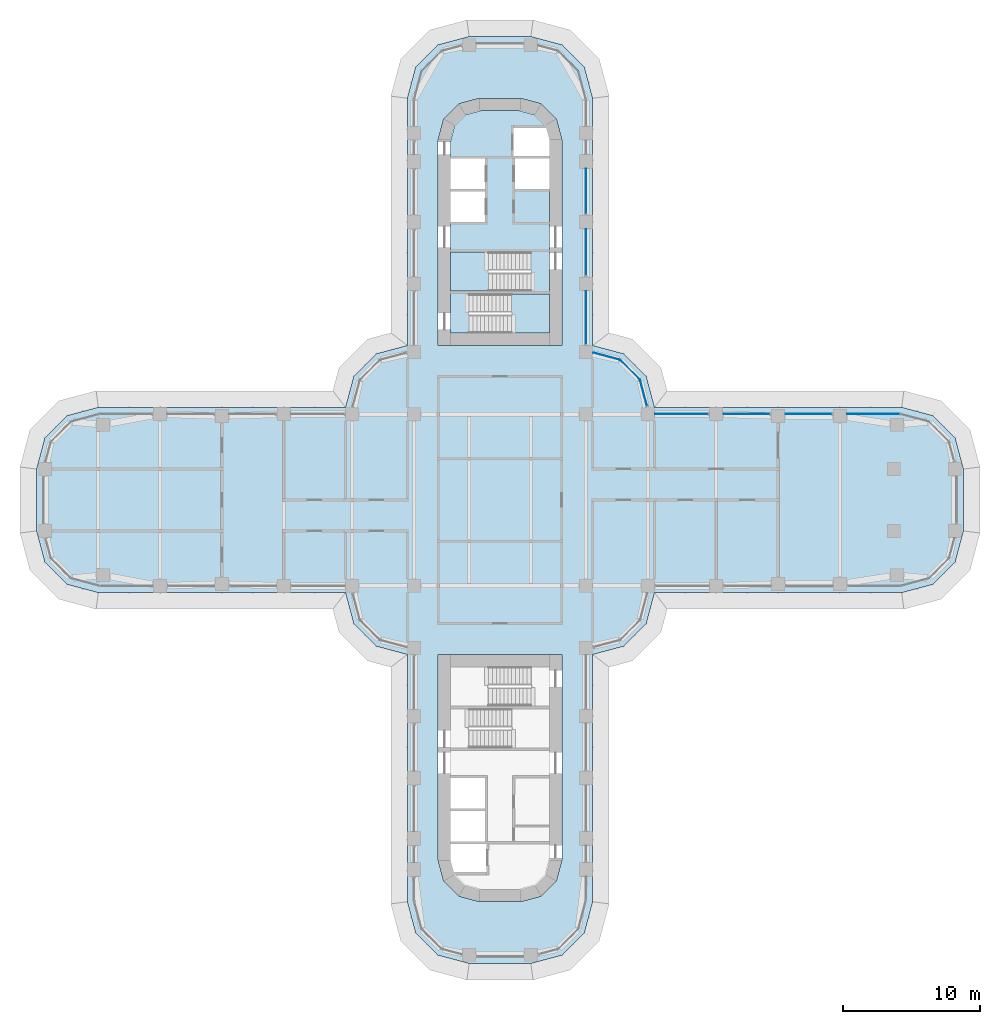
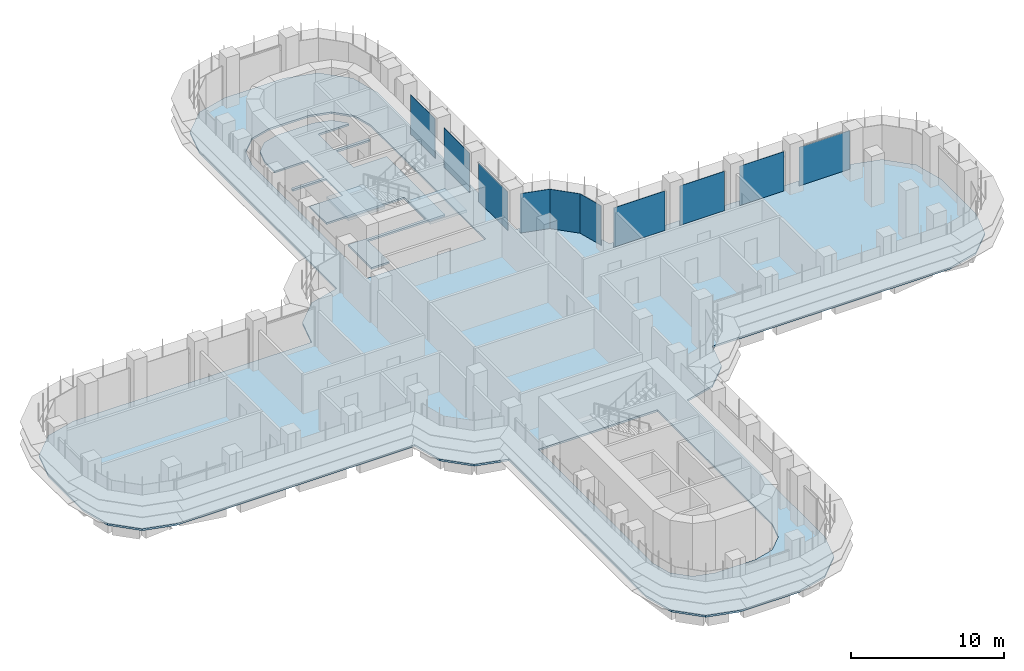
# One storey, part 15 of 23: 10 plates, 4 slabs, 7 elements without a shape of their own.
"""IFC4 building model written with IfcOpenShell, lengths in metres."""

from ifc_helpers import new_model, si_unit, direction, frame, origin, place, context, subcontext, project, spatial, polyline, outline, extrude, source, transform, mapped, material, layer, layer_set, type_object, element, aggregate, save


model = new_model("IFC4")

# Units and contexts
model_context = context("Model", 3, precision=1e-05, world=origin(), true_north=direction((0.0, 1.0)))
body_context = subcontext(model_context, "Body", "Model", "MODEL_VIEW")
ifc_project = project(units=[si_unit("LENGTHUNIT", "METRE"), si_unit("AREAUNIT", "SQUARE_METRE"), si_unit("VOLUMEUNIT", "CUBIC_METRE"), si_unit("PLANEANGLEUNIT", "RADIAN"), si_unit("MASSUNIT", "GRAM", prefix="KILO")], contexts=[model_context])

# Site, building, storey
site_placement = place(None, origin())
site = spatial("IfcSite", under=ifc_project, at=site_placement, CompositionType="ELEMENT")
building_placement = place(site_placement, origin())
building = spatial("IfcBuilding", under=site, at=building_placement, Name="Zarbagh Exchange Tower", CompositionType="ELEMENT")
storey_placement = place(building_placement, frame((0.0, 0.0, 39.60009765625)))
storey = spatial("IfcBuildingStorey", under=building, at=storey_placement, Name="L08", CompositionType="ELEMENT", Elevation=39.60009765625)

# Slabs
ifc_material_1 = material(Name="Concrete C40/50", Category="concrete")
ifc_layer_1 = layer(ifc_material_1, 0.14990234375)
ifc_layer_set_1 = layer_set([ifc_layer_1], Name="Composite floor slab 150 C40/50")
slab_type_1 = type_object("IfcSlabType", Name="Composite floor slab 150 C40/50", PredefinedType="FLOOR", material=ifc_layer_set_1)
slab_1_placement = place(storey_placement, frame((0.0, 0.0, -0.150146484375)))
element("IfcSlab", 1, at=slab_1_placement, inside=storey, type_object=slab_type_1, Name="S5 composite floor slab", PredefinedType="FLOOR", context=body_context, shape_type="SweptSolid", body=[
    extrude(outline(polyline([(-2.25, -33.75), (-4.5, -33.147216796875), (-6.147216796875, -31.5), (-6.75, -29.25), (-6.75, -11.25), (-9.0, -10.647216796875), (-10.647216796875, -9.0), (-11.25, -6.75), (-29.25, -6.75), (-31.5, -6.147216796875), (-33.147216796875, -4.5), (-33.75, -2.25), (-33.75, 2.25), (-33.147216796875, 4.5), (-31.5, 6.147216796875), (-29.25, 6.75), (-11.25, 6.75), (-10.647216796875, 9.0), (-9.0, 10.647216796875), (-6.75, 11.25), (-6.75, 29.25), (-6.147216796875, 31.5), (-4.5, 33.147216796875), (-2.25, 33.75), (2.25, 33.75), (4.5, 33.147216796875), (6.147216796875, 31.5), (6.75, 29.25), (6.75, 11.25), (9.0, 10.647216796875), (10.647216796875, 9.0), (11.25, 6.75), (29.25, 6.75), (31.5, 6.147216796875), (33.147216796875, 4.5), (33.75, 2.25), (33.75, -2.25), (33.147216796875, -4.5), (31.5, -6.147216796875), (29.25, -6.75), (11.25, -6.75), (10.647216796875, -9.0), (9.0, -10.647216796875), (6.75, -11.25), (6.75, -29.25), (6.147216796875, -31.5), (4.5, -33.147216796875), (2.25, -33.75), (-2.25, -33.75)]), holes=[polyline([(4.5, 11.25), (4.5, 26.25), (4.09814453125, 27.75), (3.0, 28.84814453125), (1.5, 29.25), (-1.5, 29.25), (-3.0, 28.84814453125), (-4.09814453125, 27.75), (-4.5, 26.25), (-4.5, 11.25), (4.5, 11.25)]), polyline([(-1.5, -29.25), (1.5, -29.25), (3.0, -28.84814453125), (4.09814453125, -27.75), (4.5, -26.25), (4.5, -11.25), (-4.5, -11.25), (-4.5, -26.25), (-4.09814453125, -27.75), (-3.0, -28.84814453125), (-1.5, -29.25)])]), origin(), (0.0, 0.0, 1.0), 0.150146484375),
])
ifc_layer_2 = layer(ifc_material_1, 0.14990234375)
ifc_layer_set_2 = layer_set([ifc_layer_2], Name="Core floor slab 150 C40/50")
slab_type_2 = type_object("IfcSlabType", Name="Core floor slab 150 C40/50", PredefinedType="FLOOR", material=ifc_layer_set_2)
slab_2_placement = place(storey_placement, frame((0.0, 0.0, -0.150146484375)))
element("IfcSlab", 2, at=slab_2_placement, inside=storey, type_object=slab_type_2, Name="S17 core N", PredefinedType="FLOOR", context=body_context, shape_type="SweptSolid", body=[
    extrude(outline(polyline([(-3.60009765625, 12.14990234375), (-3.60009765625, 15.199951171875), (2.25, 15.199951171875), (2.25, 18.050048828125), (-3.60009765625, 18.050048828125), (-3.60009765625, 20.25), (-1.10009765625, 20.25), (-1.10009765625, 22.449951171875), (-3.60009765625, 22.449951171875), (-3.60009765625, 22.64990234375), (-1.10009765625, 22.64990234375), (-1.10009765625, 24.85009765625), (-3.60009765625, 24.85009765625), (-3.60009765625, 26.131591796875), (-3.291259765625, 27.2841796875), (-2.5341796875, 28.041259765625), (-1.381591796875, 28.35009765625), (1.381591796875, 28.35009765625), (2.5341796875, 28.041259765625), (3.291259765625, 27.2841796875), (3.340576171875, 27.10009765625), (1.0, 27.10009765625), (1.0, 25.050048828125), (3.60009765625, 25.050048828125), (3.60009765625, 24.85009765625), (1.10009765625, 24.85009765625), (1.10009765625, 22.64990234375), (3.60009765625, 22.64990234375), (3.60009765625, 15.0), (-2.25, 15.0), (-2.25, 12.14990234375), (-3.60009765625, 12.14990234375)])), origin(), (0.0, 0.0, 1.0), 0.150146484375),
])

# Stair, slab
stair_type = type_object("IfcStairType", Name="Exit stair two-flight half-turn", PredefinedType="HALF_TURN_STAIR", material=ifc_material_1)
stair_1_placement = place(storey_placement, origin())
stair_1 = element("IfcStair", 3, at=stair_1_placement, inside=storey, type_object=stair_type, Name="exit stair ST1", PredefinedType="HALF_TURN_STAIR")
ifc_layer_3 = layer(ifc_material_1, 0.199951171875)
ifc_layer_set_3 = layer_set([ifc_layer_3], Name="Stair landing 200 mm")
slab_type_3 = type_object("IfcSlabType", Name="Stair landing 200 mm", PredefinedType="LANDING", material=ifc_layer_set_3)
slab_3_placement = place(storey_placement, frame((0.0, 0.0, 1.89990234375)))
slab_3 = element("IfcSlab", 4, at=slab_3_placement, type_object=slab_type_3, Name="ST1 landing 1", PredefinedType="LANDING", context=body_context, shape_type="SweptSolid", body=[
    extrude(outline(polyline([(-0.830078125, 18.050048828125), (-3.60009765625, 18.050048828125), (-3.60009765625, 15.199951171875), (-0.830078125, 15.199951171875), (-0.830078125, 18.050048828125)])), origin(), (0.0, 0.0, 1.0), 0.199951171875),
])
aggregate(stair_1, [slab_3])

stair_2_placement = place(storey_placement, origin())
stair_2 = element("IfcStair", 5, at=stair_2_placement, inside=storey, type_object=stair_type, Name="exit stair ST2", PredefinedType="HALF_TURN_STAIR")
slab_4_placement = place(storey_placement, frame((0.0, 0.0, 1.89990234375)))
slab_4 = element("IfcSlab", 6, at=slab_4_placement, type_object=slab_type_3, Name="ST2 landing 1", PredefinedType="LANDING", context=body_context, shape_type="SweptSolid", body=[
    extrude(outline(polyline([(0.830078125, 12.14990234375), (3.60009765625, 12.14990234375), (3.60009765625, 15.0), (0.830078125, 15.0), (0.830078125, 12.14990234375)])), origin(), (0.0, 0.0, 1.0), 0.199951171875),
])
aggregate(stair_2, [slab_4])

# Curtain wall, plate
ifc_material_2 = material(Name="Anodised aluminium frame and glazing", Category="aluminium")
curtain_wall_type = type_object("IfcCurtainWallType", Name="CWA Ribbon glazing, lower zones", PredefinedType="NOTDEFINED", material=ifc_material_2)
curtain_wall_1_placement = place(storey_placement, origin())
curtain_wall_1 = element("IfcCurtainWall", 7, at=curtain_wall_1_placement, inside=storey, type_object=curtain_wall_type, Name="CWA18 curtain wall", PredefinedType="NOTDEFINED")
ifc_material_3 = material(Name="Low-e double glazed unit, 6+12+6 mm")
ifc_layer_4 = layer(ifc_material_3, 0.028076171875)
ifc_layer_set_4 = layer_set([ifc_layer_4], Name="PAA Glazing panel, Low-e double glazed unit, 6+12+6 mm")
plate_type = type_object("IfcPlateType", Name="PAA Glazing panel, Low-e double glazed unit, 6+12+6 mm", PredefinedType="CURTAIN_PANEL", material=ifc_layer_set_4)
shared_shape_1 = source(origin(), body_context, "Body", "SweptSolid", [
    extrude(outline(polyline([(0.0, -0.013916015625), (2.061279296875, -0.013916015625), (2.061279296875, 0.013916015625), (0.0, 0.013916015625), (0.0, -0.013916015625)])), origin(), (0.0, 0.0, 1.0), 3.14990234375),
])
placement = place(storey_placement, origin())
plate_1 = element("IfcPlate", 8, at=placement, type_object=plate_type, Name="CWA18 glazing panel 1.1", PredefinedType="CURTAIN_PANEL", context=body_context, shape_type="MappedRepresentation", body=[
    mapped(shared_shape_1, transform((10.19873046875, 8.7412109375, 0.0), x_axis=(-0.707106781187, 0.707106781187, 0.0), y_axis=(-0.707106781187, -0.707106781187, 0.0), z_axis=(0.0, 0.0, 1.0))),
])
aggregate(curtain_wall_1, [plate_1])

curtain_wall_2_placement = place(storey_placement, origin())
curtain_wall_2 = element("IfcCurtainWall", 9, at=curtain_wall_2_placement, inside=storey, type_object=curtain_wall_type, Name="CWA20 curtain wall", PredefinedType="NOTDEFINED")
shared_shape_2 = source(origin(), body_context, "Body", "SweptSolid", [
    extrude(outline(polyline([(0.0, -0.013916015625), (3.260009765625, -0.013916015625), (3.260009765625, 0.013916015625), (0.0, 0.013916015625), (0.0, -0.013916015625)])), origin(), (0.0, 0.0, 1.0), 3.14990234375),
])
plate_2 = element("IfcPlate", 10, at=placement, type_object=plate_type, Name="CWA20 glazing panel 3.1", PredefinedType="CURTAIN_PANEL", context=body_context, shape_type="MappedRepresentation", body=[
    mapped(shared_shape_2, transform((6.25, 20.85009765625, 0.0), x_axis=(0.0, 1.0, 0.0), y_axis=(-1.0, 0.0, 0.0), z_axis=(0.0, 0.0, 1.0))),
])

# Curtain wall, plates
curtain_wall_3_placement = place(storey_placement, origin())
curtain_wall_3 = element("IfcCurtainWall", 11, at=curtain_wall_3_placement, inside=storey, type_object=curtain_wall_type, Name="CWA16 curtain wall", PredefinedType="NOTDEFINED")
shared_shape_3 = source(origin(), body_context, "Body", "SweptSolid", [
    extrude(outline(polyline([(0.0, -0.013916015625), (3.360107421875, -0.013916015625), (3.360107421875, 0.013916015625), (0.0, 0.013916015625), (0.0, -0.013916015625)])), origin(), (0.0, 0.0, 1.0), 3.14990234375),
])
plate_3 = element("IfcPlate", 12, at=placement, type_object=plate_type, Name="CWA16 glazing panel 2.1", PredefinedType="CURTAIN_PANEL", context=body_context, shape_type="MappedRepresentation", body=[
    mapped(shared_shape_3, transform((24.14990234375, 6.25, 0.0), x_axis=(-1.0, 0.0, 0.0), y_axis=(0.0, -1.0, 0.0), z_axis=(0.0, 0.0, 1.0))),
])
plate_4 = element("IfcPlate", 13, at=placement, type_object=plate_type, Name="CWA16 glazing panel 3.1", PredefinedType="CURTAIN_PANEL", context=body_context, shape_type="MappedRepresentation", body=[
    mapped(shared_shape_3, transform((19.64990234375, 6.25, 0.0), x_axis=(-1.0, 0.0, 0.0), y_axis=(0.0, -1.0, 0.0), z_axis=(0.0, 0.0, 1.0))),
])

# Plate
plate_5 = element("IfcPlate", 14, at=placement, type_object=plate_type, Name="CWA20 glazing panel 2.1", PredefinedType="CURTAIN_PANEL", context=body_context, shape_type="MappedRepresentation", body=[
    mapped(shared_shape_3, transform((6.25, 16.35009765625, 0.0), x_axis=(0.0, 1.0, 0.0), y_axis=(-1.0, 0.0, 0.0), z_axis=(0.0, 0.0, 1.0))),
])

# Curtain wall, plate
curtain_wall_4_placement = place(storey_placement, origin())
curtain_wall_4 = element("IfcCurtainWall", 15, at=curtain_wall_4_placement, inside=storey, type_object=curtain_wall_type, Name="CWA17 curtain wall", PredefinedType="NOTDEFINED")
shared_shape_4 = source(origin(), body_context, "Body", "SweptSolid", [
    extrude(outline(polyline([(0.0, -0.013916015625), (1.9599609375, -0.013916015625), (1.9599609375, 0.013916015625), (0.0, 0.013916015625), (0.0, -0.013916015625)])), origin(), (0.0, 0.0, 1.0), 3.14990234375),
])
plate_6 = element("IfcPlate", 16, at=placement, type_object=plate_type, Name="CWA17 glazing panel 1.1", PredefinedType="CURTAIN_PANEL", context=body_context, shape_type="MappedRepresentation", body=[
    mapped(shared_shape_4, transform((10.7060546875, 6.847900390625, 0.0), x_axis=(-0.258824779902, 0.965924289636, 0.0), y_axis=(-0.965924289636, -0.258824779902, 0.0), z_axis=(0.0, 0.0, 1.0))),
])
aggregate(curtain_wall_4, [plate_6])

curtain_wall_5_placement = place(storey_placement, origin())
curtain_wall_5 = element("IfcCurtainWall", 17, at=curtain_wall_5_placement, inside=storey, type_object=curtain_wall_type, Name="CWA19 curtain wall", PredefinedType="NOTDEFINED")
shared_shape_5 = source(origin(), body_context, "Body", "SweptSolid", [
    extrude(outline(polyline([(0.0, -0.013916015625), (2.02001953125, -0.013916015625), (2.02001953125, 0.013916015625), (0.0, 0.013916015625), (0.0, -0.013916015625)])), origin(), (0.0, 0.0, 1.0), 3.14990234375),
])
plate_7 = element("IfcPlate", 18, at=placement, type_object=plate_type, Name="CWA19 glazing panel 1.1", PredefinedType="CURTAIN_PANEL", context=body_context, shape_type="MappedRepresentation", body=[
    mapped(shared_shape_5, transform((8.7412109375, 10.19873046875, 0.0), x_axis=(-0.965924289636, 0.258824779902, 0.0), y_axis=(-0.258824779902, -0.965924289636, 0.0), z_axis=(0.0, 0.0, 1.0))),
])
aggregate(curtain_wall_5, [plate_7])

# Plate
shared_shape_6 = source(origin(), body_context, "Body", "SweptSolid", [
    extrude(outline(polyline([(0.0, -0.013916015625), (3.860107421875, -0.013916015625), (3.860107421875, 0.013916015625), (0.0, 0.013916015625), (0.0, -0.013916015625)])), origin(), (0.0, 0.0, 1.0), 3.090087890625),
])
plate_8 = element("IfcPlate", 19, at=placement, type_object=plate_type, Name="CWA20 glazing panel 1.1", PredefinedType="CURTAIN_PANEL", context=body_context, shape_type="MappedRepresentation", body=[
    mapped(shared_shape_6, transform((6.25, 11.35009765625, 0.0), x_axis=(0.0, 1.0, 0.0), y_axis=(-1.0, 0.0, 0.0), z_axis=(0.0, 0.0, 1.0))),
])

aggregate(curtain_wall_2, [plate_8, plate_5, plate_2])

shared_shape_7 = source(origin(), body_context, "Body", "SweptSolid", [
    extrude(outline(polyline([(0.0, -0.013916015625), (3.834228515625, -0.013916015625), (3.834228515625, 0.013916015625), (0.0, 0.013916015625), (0.0, -0.013916015625)])), origin(), (0.0, 0.0, 1.0), 3.090087890625),
])
plate_9 = element("IfcPlate", 20, at=placement, type_object=plate_type, Name="CWA16 glazing panel 1.1", PredefinedType="CURTAIN_PANEL", context=body_context, shape_type="MappedRepresentation", body=[
    mapped(shared_shape_7, transform((29.124267578125, 6.25, 0.0), x_axis=(-1.0, 0.0, 0.0), y_axis=(0.0, -1.0, 0.0), z_axis=(0.0, 0.0, 1.0))),
])

shared_shape_8 = source(origin(), body_context, "Body", "SweptSolid", [
    extrude(outline(polyline([(0.0, -0.013916015625), (3.860107421875, -0.013916015625), (3.860107421875, 0.013916015625), (0.0, 0.013916015625), (0.0, -0.013916015625)])), origin(), (0.0, 0.0, 1.0), 3.14990234375),
])
plate_10 = element("IfcPlate", 21, at=placement, type_object=plate_type, Name="CWA16 glazing panel 4.1", PredefinedType="CURTAIN_PANEL", context=body_context, shape_type="MappedRepresentation", body=[
    mapped(shared_shape_8, transform((15.14990234375, 6.25, 0.0), x_axis=(-1.0, 0.0, 0.0), y_axis=(0.0, -1.0, 0.0), z_axis=(0.0, 0.0, 1.0))),
])

aggregate(curtain_wall_3, [plate_9, plate_3, plate_4, plate_10])

save(model, "model.ifc")
